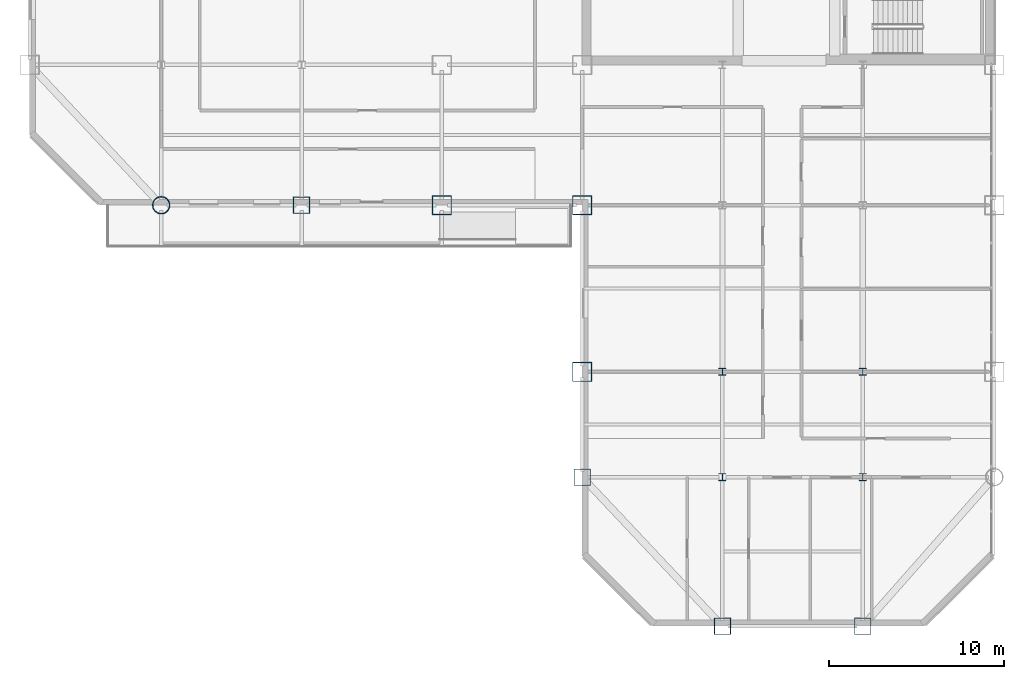
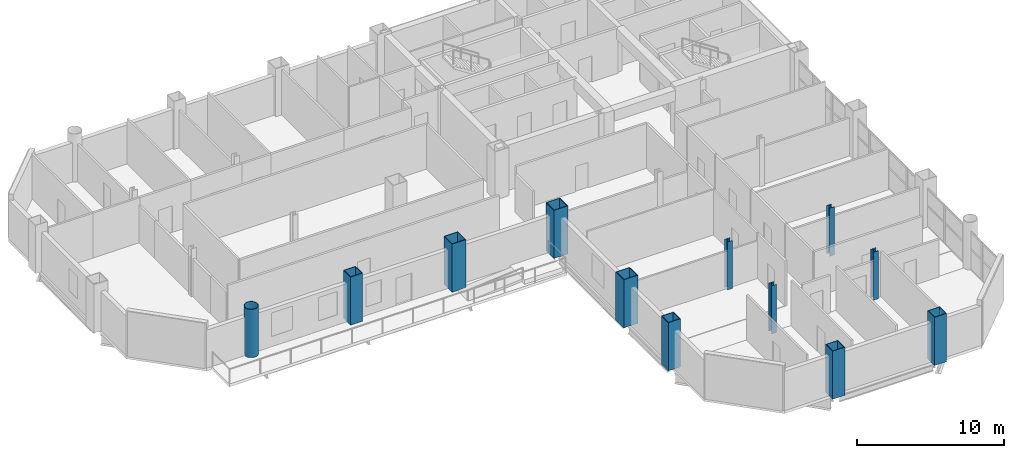
# One storey, part 1 of 16: 12 columns.
"""IFC4 building model written with IfcOpenShell, lengths in metres."""

from ifc_helpers import new_model, si_unit, direction, frame, origin, origin_2d, place, context, subcontext, project, spatial, hollow_rectangle, hollow_circle, i_section, extrude, material, material_profile, profile_set, type_object, element, save


model = new_model("IFC4")

# Units and contexts
model_context = context("Model", 3, precision=1e-05, world=origin(), true_north=direction((0.0, 1.0)))
body_context = subcontext(model_context, "Body", "Model", "MODEL_VIEW")
ifc_project = project(units=[si_unit("LENGTHUNIT", "METRE"), si_unit("AREAUNIT", "SQUARE_METRE"), si_unit("VOLUMEUNIT", "CUBIC_METRE"), si_unit("PLANEANGLEUNIT", "RADIAN"), si_unit("MASSUNIT", "GRAM", prefix="KILO")], contexts=[model_context])

# Site, building, storey
site_placement = place(None, origin())
site = spatial("IfcSite", under=ifc_project, at=site_placement, CompositionType="ELEMENT")
building_placement = place(site_placement, origin())
building = spatial("IfcBuilding", under=site, at=building_placement, Name="Qianrong Seaharbour Tower", CompositionType="ELEMENT")
storey_placement = place(building_placement, frame((0.0, 0.0, 119.0)))
storey = spatial("IfcBuildingStorey", under=building, at=storey_placement, Name="L28", CompositionType="ELEMENT", Elevation=119.0)

# Columns
ifc_material = material(Name="Structural steel SN490B", Category="steel")
ifc_material_profile_1 = material_profile(ifc_material, hollow_rectangle(XDim=1.10009765625, YDim=1.10009765625, WallThickness=0.0400390625, at=origin_2d()), Name="BOX1100x1100x40")
ifc_profile_set_1 = profile_set([ifc_material_profile_1], Name="Structural steel SN490B")
column_type_1 = type_object("IfcColumnType", Name="COL-CFT-1100", PredefinedType="COLUMN", material=ifc_profile_set_1)
for number, where, z_axis, x_axis, name in (
    (1, (32.5, 28.0, 0.0), (0.0, 0.0, 1.0), (1.0, 0.0, 0.0), "L28 Column MC-3 at G5/GE"),
    (2, (40.5, 18.5, 0.0), (0.0, 0.0, 1.0), (1.0, 0.0, 0.0), "L28 Column MC-3 at G6/GD"),
    (3, (40.5, 28.0, 0.0), (0.0, 0.0, 1.0), (1.0, 0.0, 0.0), "L28 Column MC-3 at G6/GE"),
):
    element("IfcColumn", number, at=place(storey_placement, frame(where, z_axis=z_axis, x_axis=x_axis)), inside=storey, type_object=column_type_1, Name=name, PredefinedType="COLUMN", context=body_context, shape_type="SweptSolid", body=[
        extrude(hollow_rectangle(XDim=1.10009765625, YDim=1.10009765625, WallThickness=0.0400390625, at=origin_2d()), origin(), (0.0, 0.0, 1.0), 4.0),
    ])
ifc_material_profile_2 = material_profile(ifc_material, hollow_circle(Radius=0.5, WallThickness=0.035888671875, at=origin_2d()), Name="CHS1000x36")
ifc_profile_set_2 = profile_set([ifc_material_profile_2], Name="Structural steel SN490B")
column_type_2 = type_object("IfcColumnType", Name="COL-CHS-1000", PredefinedType="COLUMN", material=ifc_profile_set_2)
column_placement = place(storey_placement, frame((16.5, 28.0, 0.0), z_axis=(0.0, 0.0, 1.0), x_axis=(1.0, 0.0, 0.0)))
element("IfcColumn", 4, at=column_placement, inside=storey, type_object=column_type_2, Name="L28 Column CC-2 at G3/GE", PredefinedType="COLUMN", context=body_context, shape_type="SweptSolid", body=[
    extrude(hollow_circle(Radius=0.5, WallThickness=0.035888671875, at=origin_2d()), origin(), (0.0, 0.0, 1.0), 4.0),
])
ifc_material_profile_3 = material_profile(ifc_material, i_section(OverallWidth=0.39990234375, OverallDepth=0.39990234375, WebThickness=0.012939453125, FlangeThickness=0.02099609375, FilletRadius=0.02197265625, at=origin_2d()), Name="H400x400x13x21")
ifc_profile_set_3 = profile_set([ifc_material_profile_3], Name="Structural steel SN490B")
column_type_3 = type_object("IfcColumnType", Name="COL-INT-H400", PredefinedType="COLUMN", material=ifc_profile_set_3)
for number, where, z_axis, x_axis, name in (
    (5, (48.5, 12.5, 0.0), (0.0, 0.0, 1.0), (1.0, 0.0, 0.0), "L28 Column IC-3 at G7/GC"),
    (6, (48.5, 18.5, 0.0), (0.0, 0.0, 1.0), (1.0, 0.0, 0.0), "L28 Column IC-3 at G7/GD"),
    (7, (56.5, 12.5, 0.0), (0.0, 0.0, 1.0), (1.0, 0.0, 0.0), "L28 Column IC-3 at G8/GC"),
    (8, (56.5, 18.5, 0.0), (0.0, 0.0, 1.0), (1.0, 0.0, 0.0), "L28 Column IC-3 at G8/GD"),
):
    element("IfcColumn", number, at=place(storey_placement, frame(where, z_axis=z_axis, x_axis=x_axis)), inside=storey, type_object=column_type_3, Name=name, PredefinedType="COLUMN", context=body_context, shape_type="SweptSolid", body=[
        extrude(i_section(OverallWidth=0.39990234375, OverallDepth=0.39990234375, WebThickness=0.012939453125, FlangeThickness=0.02099609375, FilletRadius=0.02197265625, at=origin_2d()), origin(), (0.0, 0.0, 1.0), 4.0),
    ])
ifc_material_profile_4 = material_profile(ifc_material, hollow_rectangle(XDim=0.949951171875, YDim=0.949951171875, WallThickness=0.035888671875, at=origin_2d()), Name="BOX950x950x36")
ifc_profile_set_4 = profile_set([ifc_material_profile_4], Name="Structural steel SN490B")
column_type_4 = type_object("IfcColumnType", Name="COL-PER-950", PredefinedType="COLUMN", material=ifc_profile_set_4)
for number, where, z_axis, x_axis, name in (
    (9, (24.5, 28.0, 0.0), (0.0, 0.0, 1.0), (1.0, 0.0, 0.0), "L28 Column PC-2 at G4/GE"),
    (10, (40.5, 12.5, 0.0), (0.0, 0.0, 1.0), (1.0, 0.0, 0.0), "L28 Column PC-2 at G6/GC"),
    (11, (48.5, 4.0, 0.0), (0.0, 0.0, 1.0), (1.0, 0.0, 0.0), "L28 Column PC-2 at G7/GB"),
    (12, (56.5, 4.0, 0.0), (0.0, 0.0, 1.0), (1.0, 0.0, 0.0), "L28 Column PC-2 at G8/GB"),
):
    element("IfcColumn", number, at=place(storey_placement, frame(where, z_axis=z_axis, x_axis=x_axis)), inside=storey, type_object=column_type_4, Name=name, PredefinedType="COLUMN", context=body_context, shape_type="SweptSolid", body=[
        extrude(hollow_rectangle(XDim=0.949951171875, YDim=0.949951171875, WallThickness=0.035888671875, at=origin_2d()), origin(), (0.0, 0.0, 1.0), 4.0),
    ])

save(model, "model.ifc")
